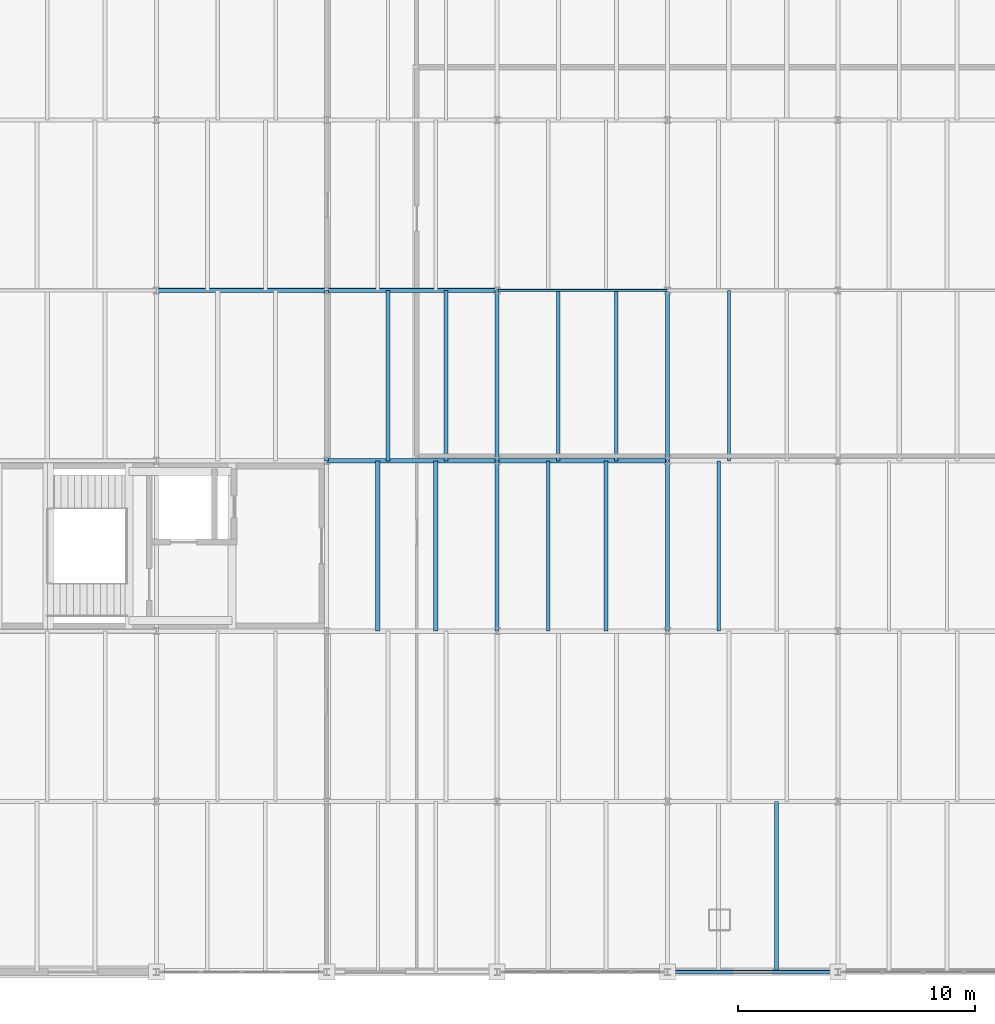
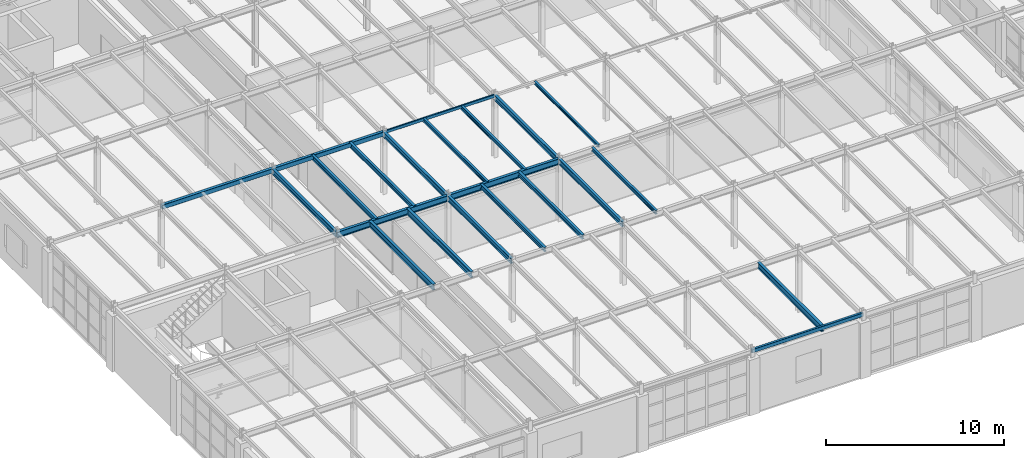
# One storey, part 22 of 101: 22 beams.
"""IFC4 building model written with IfcOpenShell, lengths in metres."""

from ifc_helpers import new_model, si_unit, direction, frame, origin, origin_2d, place, context, subcontext, project, spatial, hollow_rectangle, i_section, extrude, material, material_profile, profile_set, type_object, element, save


model = new_model("IFC4")

# Units and contexts
model_context = context("Model", 3, precision=1e-05, world=origin(), true_north=direction((0.0, 1.0)))
body_context = subcontext(model_context, "Body", "Model", "MODEL_VIEW")
ifc_project = project(units=[si_unit("LENGTHUNIT", "METRE"), si_unit("AREAUNIT", "SQUARE_METRE"), si_unit("VOLUMEUNIT", "CUBIC_METRE"), si_unit("PLANEANGLEUNIT", "RADIAN"), si_unit("MASSUNIT", "GRAM", prefix="KILO")], contexts=[model_context])

# Site, building, storey
site_placement = place(None, origin())
site = spatial("IfcSite", under=ifc_project, at=site_placement, CompositionType="ELEMENT")
building_placement = place(site_placement, origin())
building = spatial("IfcBuilding", under=site, at=building_placement, Name="Kemerveld Promenade Tramway Depot", CompositionType="ELEMENT")
storey_placement = place(building_placement, frame((0.0, 0.0, 9.89990234375)))
storey = spatial("IfcBuildingStorey", under=building, at=storey_placement, Name="L02", CompositionType="ELEMENT", Elevation=9.89990234375)

# Beams
ifc_material = material(Name="Steel S355", Category="steel")
ifc_material_profile_1 = material_profile(ifc_material, i_section(OverallWidth=0.1787109375, OverallDepth=0.409423828125, WebThickness=0.0087890625, FlangeThickness=0.014404296875, FilletRadius=0.01025390625, at=origin_2d()), Name="406x178x67 UB")
ifc_profile_set_1 = profile_set([ifc_material_profile_1], Name="Steel S355")
beam_type_1 = type_object("IfcBeamType", Name="BM-G07", PredefinedType="BEAM", material=ifc_profile_set_1)
beam_1_placement = place(storey_placement, frame((14.39990234375, 21.60009765625, 4.075439453125), z_axis=(1.0, 0.0, 0.0), x_axis=(0.0, 1.0, 0.0)))
element("IfcBeam", 1, at=beam_1_placement, inside=storey, type_object=beam_type_1, Name="BMX-L02-03-04-D", PredefinedType="BEAM", context=body_context, shape_type="SweptSolid", body=[
    extrude(i_section(OverallWidth=0.1787109375, OverallDepth=0.409423828125, WebThickness=0.0087890625, FlangeThickness=0.014404296875, FilletRadius=0.01025390625, at=origin_2d()), origin(), (0.0, 0.0, 1.0), 7.2001953125),
])
beam_2_placement = place(storey_placement, frame((21.60009765625, 21.60009765625, 4.080322265625), z_axis=(1.0, 0.0, 0.0), x_axis=(0.0, 1.0, 0.0)))
element("IfcBeam", 2, at=beam_2_placement, inside=storey, type_object=beam_type_1, Name="BMX-L02-04-05-D", PredefinedType="BEAM", context=body_context, shape_type="SweptSolid", body=[
    extrude(i_section(OverallWidth=0.1787109375, OverallDepth=0.409423828125, WebThickness=0.0087890625, FlangeThickness=0.014404296875, FilletRadius=0.01025390625, at=origin_2d()), origin(), (0.0, 0.0, 1.0), 7.199951171875),
])
ifc_material_profile_2 = material_profile(ifc_material, i_section(OverallWidth=0.172119140625, OverallDepth=0.35791015625, WebThickness=0.008056640625, FlangeThickness=0.012939453125, FilletRadius=0.01025390625, at=origin_2d()), Name="356x171x57 UB")
ifc_profile_set_2 = profile_set([ifc_material_profile_2], Name="Steel S355")
beam_type_2 = type_object("IfcBeamType", Name="BM-G08", PredefinedType="BEAM", material=ifc_profile_set_2)
beam_3_placement = place(storey_placement, frame((14.39990234375, 21.60009765625, 4.10107421875), z_axis=(0.0, 1.0, 0.0), x_axis=(-1.0, 0.0, 0.0)))
element("IfcBeam", 3, at=beam_3_placement, inside=storey, type_object=beam_type_2, Name="BMY-L02-03-D-E", PredefinedType="BEAM", context=body_context, shape_type="SweptSolid", body=[
    extrude(i_section(OverallWidth=0.172119140625, OverallDepth=0.35791015625, WebThickness=0.008056640625, FlangeThickness=0.012939453125, FilletRadius=0.01025390625, at=origin_2d()), origin(), (0.0, 0.0, 1.0), 7.199951171875),
])
beam_4_placement = place(storey_placement, frame((21.60009765625, 14.39990234375, 4.106201171875), z_axis=(0.0, 1.0, 0.0), x_axis=(-1.0, 0.0, 0.0)))
element("IfcBeam", 4, at=beam_4_placement, inside=storey, type_object=beam_type_2, Name="BMY-L02-04-C-D", PredefinedType="BEAM", context=body_context, shape_type="SweptSolid", body=[
    extrude(i_section(OverallWidth=0.172119140625, OverallDepth=0.35791015625, WebThickness=0.008056640625, FlangeThickness=0.012939453125, FilletRadius=0.01025390625, at=origin_2d()), origin(), (0.0, 0.0, 1.0), 7.2001953125),
])
beam_5_placement = place(storey_placement, frame((21.60009765625, 21.60009765625, 4.106201171875), z_axis=(0.0, 1.0, 0.0), x_axis=(-1.0, 0.0, 0.0)))
element("IfcBeam", 5, at=beam_5_placement, inside=storey, type_object=beam_type_2, Name="BMY-L02-04-D-E", PredefinedType="BEAM", context=body_context, shape_type="SweptSolid", body=[
    extrude(i_section(OverallWidth=0.172119140625, OverallDepth=0.35791015625, WebThickness=0.008056640625, FlangeThickness=0.012939453125, FilletRadius=0.01025390625, at=origin_2d()), origin(), (0.0, 0.0, 1.0), 7.199951171875),
])
beam_6_placement = place(storey_placement, frame((28.800048828125, 14.39990234375, 4.106201171875), z_axis=(0.0, 1.0, 0.0), x_axis=(-1.0, 0.0, 0.0)))
element("IfcBeam", 6, at=beam_6_placement, inside=storey, type_object=beam_type_2, Name="BMY-L02-05-C-D", PredefinedType="BEAM", context=body_context, shape_type="SweptSolid", body=[
    extrude(i_section(OverallWidth=0.172119140625, OverallDepth=0.35791015625, WebThickness=0.008056640625, FlangeThickness=0.012939453125, FilletRadius=0.01025390625, at=origin_2d()), origin(), (0.0, 0.0, 1.0), 7.2001953125),
])
beam_7_placement = place(storey_placement, frame((28.800048828125, 21.60009765625, 4.106201171875), z_axis=(0.0, 1.0, 0.0), x_axis=(-1.0, 0.0, 0.0)))
element("IfcBeam", 7, at=beam_7_placement, inside=storey, type_object=beam_type_2, Name="BMY-L02-05-D-E", PredefinedType="BEAM", context=body_context, shape_type="SweptSolid", body=[
    extrude(i_section(OverallWidth=0.172119140625, OverallDepth=0.35791015625, WebThickness=0.008056640625, FlangeThickness=0.012939453125, FilletRadius=0.01025390625, at=origin_2d()), origin(), (0.0, 0.0, 1.0), 7.199951171875),
])
ifc_material_profile_3 = material_profile(ifc_material, hollow_rectangle(XDim=0.14990234375, YDim=0.25, WallThickness=0.010009765625, InnerFilletRadius=0.0048828125, OuterFilletRadius=0.014892578125, at=origin_2d()), Name="250x150x10.0 RHS")
ifc_profile_set_3 = profile_set([ifc_material_profile_3], Name="Steel S355")
beam_type_3 = type_object("IfcBeamType", Name="BM-G17", PredefinedType="BEAM", material=ifc_profile_set_3)
beam_8_placement = place(storey_placement, frame((28.800048828125, 0.0, 4.16015625), z_axis=(1.0, 0.0, 0.0), x_axis=(0.0, 1.0, 0.0)))
element("IfcBeam", 8, at=beam_8_placement, inside=storey, type_object=beam_type_3, Name="BMX-L02-05-06-A", PredefinedType="BEAM", context=body_context, shape_type="SweptSolid", body=[
    extrude(hollow_rectangle(XDim=0.14990234375, YDim=0.25, WallThickness=0.010009765625, InnerFilletRadius=0.0048828125, OuterFilletRadius=0.014892578125, at=origin_2d()), origin(), (0.0, 0.0, 1.0), 7.199951171875),
])
ifc_material_profile_4 = material_profile(ifc_material, hollow_rectangle(XDim=0.199951171875, YDim=0.300048828125, WallThickness=0.012451171875, InnerFilletRadius=0.00634765625, OuterFilletRadius=0.018798828125, at=origin_2d()), Name="300x200x12.5 RHS")
ifc_profile_set_4 = profile_set([ifc_material_profile_4], Name="Steel S355")
beam_type_4 = type_object("IfcBeamType", Name="BM-G18", PredefinedType="BEAM", material=ifc_profile_set_4)
beam_9_placement = place(storey_placement, frame((7.199951171875, 28.800048828125, 4.135009765625), z_axis=(1.0, 0.0, 0.0), x_axis=(0.0, 1.0, 0.0)))
element("IfcBeam", 9, at=beam_9_placement, inside=storey, type_object=beam_type_4, Name="BMX-L02-02-03-E", PredefinedType="BEAM", context=body_context, shape_type="SweptSolid", body=[
    extrude(hollow_rectangle(XDim=0.199951171875, YDim=0.300048828125, WallThickness=0.012451171875, InnerFilletRadius=0.00634765625, OuterFilletRadius=0.018798828125, at=origin_2d()), origin(), (0.0, 0.0, 1.0), 7.199951171875),
])
ifc_material_profile_5 = material_profile(ifc_material, i_section(OverallWidth=0.165771484375, OverallDepth=0.306640625, WebThickness=0.006591796875, FlangeThickness=0.01171875, FilletRadius=0.0087890625, at=origin_2d()), Name="305x165x46 UB")
ifc_profile_set_5 = profile_set([ifc_material_profile_5], Name="Steel S355")
beam_type_5 = type_object("IfcBeamType", Name="BM-J01", PredefinedType="JOIST", material=ifc_profile_set_5)
for number, where, z_axis, x_axis, name in (
    (10, (16.991943359375, 21.60009765625, 4.1318359375), (0.0, 1.0, 0.0), (-1.0, 0.0, 0.0), "JST-L02-03-D-1"),
    (11, (19.43994140625, 21.60009765625, 4.1318359375), (0.0, 1.0, 0.0), (-1.0, 0.0, 0.0), "JST-L02-03-D-2"),
):
    element("IfcBeam", number, at=place(storey_placement, frame(where, z_axis=z_axis, x_axis=x_axis)), inside=storey, type_object=beam_type_5, Name=name, PredefinedType="JOIST", context=body_context, shape_type="SweptSolid", body=[
        extrude(i_section(OverallWidth=0.165771484375, OverallDepth=0.306640625, WebThickness=0.006591796875, FlangeThickness=0.01171875, FilletRadius=0.0087890625, at=origin_2d()), origin(), (0.0, 0.0, 1.0), 7.199951171875),
    ])
for number, where, z_axis, x_axis, name in (
    (12, (23.760009765625, 14.39990234375, 4.1318359375), (0.0, 1.0, 0.0), (-1.0, 0.0, 0.0), "JST-L02-04-C-1"),
    (13, (26.2080078125, 14.39990234375, 4.1318359375), (0.0, 1.0, 0.0), (-1.0, 0.0, 0.0), "JST-L02-04-C-2"),
):
    element("IfcBeam", number, at=place(storey_placement, frame(where, z_axis=z_axis, x_axis=x_axis)), inside=storey, type_object=beam_type_5, Name=name, PredefinedType="JOIST", context=body_context, shape_type="SweptSolid", body=[
        extrude(i_section(OverallWidth=0.165771484375, OverallDepth=0.306640625, WebThickness=0.006591796875, FlangeThickness=0.01171875, FilletRadius=0.0087890625, at=origin_2d()), origin(), (0.0, 0.0, 1.0), 7.2001953125),
    ])
ifc_material_profile_6 = material_profile(ifc_material, i_section(OverallWidth=0.146484375, OverallDepth=0.256103515625, WebThickness=0.00634765625, FlangeThickness=0.010986328125, FilletRadius=0.007568359375, at=origin_2d()), Name="254x146x37 UB")
ifc_profile_set_6 = profile_set([ifc_material_profile_6], Name="Steel S355")
beam_type_6 = type_object("IfcBeamType", Name="BM-J02", PredefinedType="JOIST", material=ifc_profile_set_6)
for number, where, z_axis, x_axis, name in (
    (14, (24.19189453125, 21.60009765625, 4.156982421875), (0.0, 1.0, 0.0), (-1.0, 0.0, 0.0), "JST-L02-04-D-1"),
    (15, (26.639892578125, 21.60009765625, 4.156982421875), (0.0, 1.0, 0.0), (-1.0, 0.0, 0.0), "JST-L02-04-D-2"),
):
    element("IfcBeam", number, at=place(storey_placement, frame(where, z_axis=z_axis, x_axis=x_axis)), inside=storey, type_object=beam_type_6, Name=name, PredefinedType="JOIST", context=body_context, shape_type="SweptSolid", body=[
        extrude(i_section(OverallWidth=0.146484375, OverallDepth=0.256103515625, WebThickness=0.00634765625, FlangeThickness=0.010986328125, FilletRadius=0.007568359375, at=origin_2d()), origin(), (0.0, 0.0, 1.0), 7.199951171875),
    ])
beam_10_placement = place(storey_placement, frame((30.9599609375, 14.39990234375, 4.156982421875), z_axis=(0.0, 1.0, 0.0), x_axis=(-1.0, 0.0, 0.0)))
element("IfcBeam", 16, at=beam_10_placement, inside=storey, type_object=beam_type_6, Name="JST-L02-05-C-1", PredefinedType="JOIST", context=body_context, shape_type="SweptSolid", body=[
    extrude(i_section(OverallWidth=0.146484375, OverallDepth=0.256103515625, WebThickness=0.00634765625, FlangeThickness=0.010986328125, FilletRadius=0.007568359375, at=origin_2d()), origin(), (0.0, 0.0, 1.0), 7.2001953125),
])
ifc_material_profile_7 = material_profile(ifc_material, i_section(OverallWidth=0.13330078125, OverallDepth=0.203125, WebThickness=0.005615234375, FlangeThickness=0.0078125, FilletRadius=0.007568359375, at=origin_2d()), Name="203x133x25 UB")
ifc_profile_set_7 = profile_set([ifc_material_profile_7], Name="Steel S355")
beam_type_7 = type_object("IfcBeamType", Name="BM-J03", PredefinedType="JOIST", material=ifc_profile_set_7)
beam_11_placement = place(storey_placement, frame((31.39208984375, 21.60009765625, 4.18359375), z_axis=(0.0, 1.0, 0.0), x_axis=(-1.0, 0.0, 0.0)))
element("IfcBeam", 17, at=beam_11_placement, inside=storey, type_object=beam_type_7, Name="JST-L02-05-D-1", PredefinedType="JOIST", context=body_context, shape_type="SweptSolid", body=[
    extrude(i_section(OverallWidth=0.13330078125, OverallDepth=0.203125, WebThickness=0.005615234375, FlangeThickness=0.0078125, FilletRadius=0.007568359375, at=origin_2d()), origin(), (0.0, 0.0, 1.0), 7.199951171875),
])
ifc_material_profile_8 = material_profile(ifc_material, i_section(OverallWidth=0.1787109375, OverallDepth=0.409423828125, WebThickness=0.0087890625, FlangeThickness=0.014404296875, FilletRadius=0.01025390625, at=origin_2d()), Name="406x178x67 UB")
ifc_profile_set_8 = profile_set([ifc_material_profile_8], Name="Steel S355")
beam_type_8 = type_object("IfcBeamType", Name="BM-J05", PredefinedType="JOIST", material=ifc_profile_set_8)
for number, where, z_axis, x_axis, name in (
    (18, (16.56005859375, 14.39990234375, 4.080322265625), (0.0, 1.0, 0.0), (-1.0, 0.0, 0.0), "JST-L02-03-C-1"),
    (19, (19.008056640625, 14.39990234375, 4.080322265625), (0.0, 1.0, 0.0), (-1.0, 0.0, 0.0), "JST-L02-03-C-2"),
):
    element("IfcBeam", number, at=place(storey_placement, frame(where, z_axis=z_axis, x_axis=x_axis)), inside=storey, type_object=beam_type_8, Name=name, PredefinedType="JOIST", context=body_context, shape_type="SweptSolid", body=[
        extrude(i_section(OverallWidth=0.1787109375, OverallDepth=0.409423828125, WebThickness=0.0087890625, FlangeThickness=0.014404296875, FilletRadius=0.01025390625, at=origin_2d()), origin(), (0.0, 0.0, 1.0), 7.2001953125),
    ])
beam_12_placement = place(storey_placement, frame((33.407958984375, 0.0, 4.080322265625), z_axis=(0.0, 1.0, 0.0), x_axis=(-1.0, 0.0, 0.0)))
element("IfcBeam", 20, at=beam_12_placement, inside=storey, type_object=beam_type_8, Name="JST-L02-05-A-2", PredefinedType="JOIST", context=body_context, shape_type="SweptSolid", body=[
    extrude(i_section(OverallWidth=0.1787109375, OverallDepth=0.409423828125, WebThickness=0.0087890625, FlangeThickness=0.014404296875, FilletRadius=0.01025390625, at=origin_2d()), origin(), (0.0, 0.0, 1.0), 7.199951171875),
])
ifc_material_profile_9 = material_profile(ifc_material, hollow_rectangle(XDim=0.199951171875, YDim=0.300048828125, WallThickness=0.012451171875, InnerFilletRadius=0.00634765625, OuterFilletRadius=0.018798828125, at=origin_2d()), Name="300x200x12.5 RHS")
ifc_profile_set_9 = profile_set([ifc_material_profile_9], Name="Steel S355")
beam_type_9 = type_object("IfcBeamType", Name="BM-SP1", PredefinedType="SPANDREL", material=ifc_profile_set_9)
beam_13_placement = place(storey_placement, frame((14.39990234375, 28.800048828125, 4.135009765625), z_axis=(1.0, 0.0, 0.0), x_axis=(0.0, 1.0, 0.0)))
element("IfcBeam", 21, at=beam_13_placement, inside=storey, type_object=beam_type_9, Name="BMX-L02-03-04-E", PredefinedType="SPANDREL", context=body_context, shape_type="SweptSolid", body=[
    extrude(hollow_rectangle(XDim=0.199951171875, YDim=0.300048828125, WallThickness=0.012451171875, InnerFilletRadius=0.00634765625, OuterFilletRadius=0.018798828125, at=origin_2d()), origin(), (0.0, 0.0, 1.0), 7.2001953125),
])
ifc_material_profile_10 = material_profile(ifc_material, hollow_rectangle(XDim=0.10009765625, YDim=0.199951171875, WallThickness=0.008056640625, InnerFilletRadius=0.00390625, OuterFilletRadius=0.011962890625, at=origin_2d()), Name="200x100x8.0 RHS")
ifc_profile_set_10 = profile_set([ifc_material_profile_10], Name="Steel S355")
beam_type_10 = type_object("IfcBeamType", Name="BM-SP3", PredefinedType="SPANDREL", material=ifc_profile_set_10)
beam_14_placement = place(storey_placement, frame((21.60009765625, 28.800048828125, 4.18505859375), z_axis=(1.0, 0.0, 0.0), x_axis=(0.0, 1.0, 0.0)))
element("IfcBeam", 22, at=beam_14_placement, inside=storey, type_object=beam_type_10, Name="BMX-L02-04-05-E", PredefinedType="SPANDREL", context=body_context, shape_type="SweptSolid", body=[
    extrude(hollow_rectangle(XDim=0.10009765625, YDim=0.199951171875, WallThickness=0.008056640625, InnerFilletRadius=0.00390625, OuterFilletRadius=0.011962890625, at=origin_2d()), origin(), (0.0, 0.0, 1.0), 7.199951171875),
])

save(model, "model.ifc")
